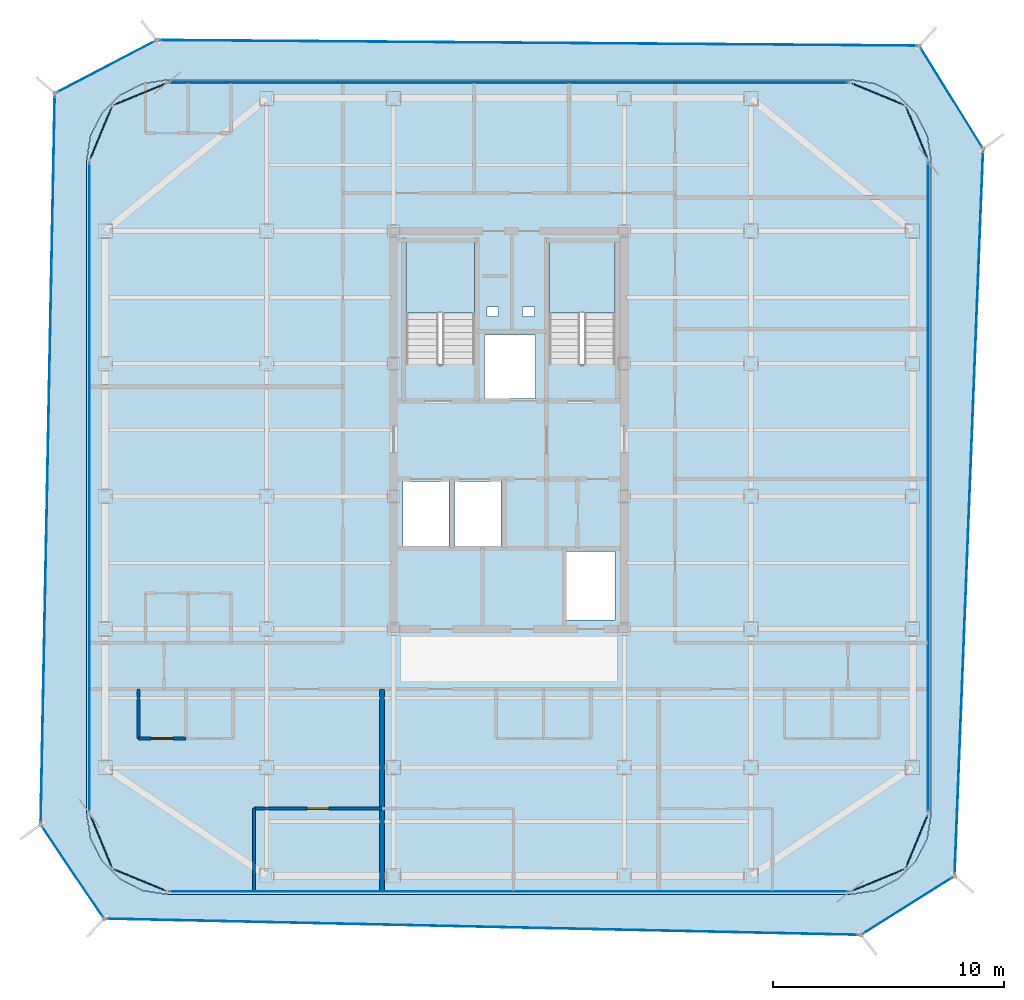
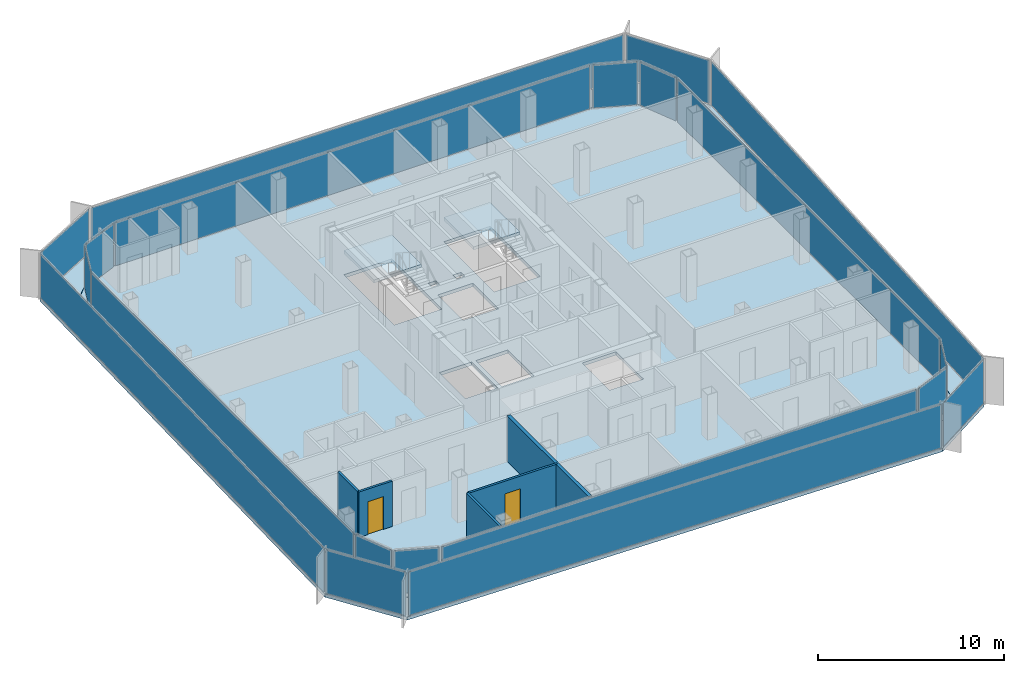
# One storey, part 9 of 15: 20 plates, 5 walls, 4 slabs, 2 doors, 2 openings, 22 elements without a shape of their own.
"""IFC4 building model written with IfcOpenShell, lengths in metres."""

from ifc_helpers import new_model, si_unit, direction, frame, frame_2d, origin, origin_2d, place, context, subcontext, project, spatial, polyline, rectangle, outline, extrude, source, transform, mapped, material, layer, layer_set, type_object, element, fill, aggregate, save


model = new_model("IFC4")

# Units and contexts
model_context = context("Model", 3, precision=1e-05, world=origin(), true_north=direction((0.0, 1.0)))
body_context = subcontext(model_context, "Body", "Model", "MODEL_VIEW")
ifc_project = project(units=[si_unit("LENGTHUNIT", "METRE"), si_unit("AREAUNIT", "SQUARE_METRE"), si_unit("VOLUMEUNIT", "CUBIC_METRE"), si_unit("PLANEANGLEUNIT", "RADIAN"), si_unit("MASSUNIT", "GRAM", prefix="KILO")], contexts=[model_context])

# Site, building, storey
site_placement = place(None, origin())
site = spatial("IfcSite", under=ifc_project, at=site_placement, CompositionType="ELEMENT")
building_placement = place(site_placement, origin())
building = spatial("IfcBuilding", under=site, at=building_placement, Name="Kolveth Station Tower", CompositionType="ELEMENT")
storey_placement = place(building_placement, frame((0.0, 0.0, 223.300048828125)))
storey = spatial("IfcBuildingStorey", under=building, at=storey_placement, Name="L63", CompositionType="ELEMENT", Elevation=223.300048828125)

# Slab
ifc_material_1 = material(Name="Concrete C40/50", Category="concrete")
ifc_layer_1 = layer(ifc_material_1, 0.219970703125)
ifc_layer_set_1 = layer_set([ifc_layer_1], Name="Concrete C40/50")
slab_type_1 = type_object("IfcSlabType", Name="Slab_SF-220", PredefinedType="FLOOR", material=ifc_layer_set_1)
slab_1_placement = place(storey_placement, frame((0.0, 0.0, -0.219970703125)))
element("IfcSlab", 1, at=slab_1_placement, inside=storey, type_object=slab_type_1, Name="L63 Tower Structural Floor Slab", PredefinedType="FLOOR", context=body_context, shape_type="SweptSolid", body=[
    extrude(outline(polyline([(38.300048828125, 0.0), (39.381591796875, 0.17138671875), (40.357177734375, 0.66845703125), (41.131591796875, 1.44287109375), (41.628662109375, 2.41845703125), (41.800048828125, 3.5), (41.800048828125, 31.800048828125), (41.628662109375, 32.881591796875), (41.131591796875, 33.857177734375), (40.357177734375, 34.631591796875), (39.381591796875, 35.128662109375), (38.300048828125, 35.300048828125), (8.699951171875, 35.300048828125), (7.618408203125, 35.128662109375), (6.642822265625, 34.631591796875), (5.868408203125, 33.857177734375), (5.371337890625, 32.881591796875), (5.199951171875, 31.800048828125), (5.199951171875, 3.5), (5.371337890625, 2.41845703125), (5.868408203125, 1.44287109375), (6.642822265625, 0.66845703125), (7.618408203125, 0.17138671875), (8.699951171875, 0.0), (38.300048828125, 0.0)]), holes=[polyline([(19.0400390625, 22.985107421875), (22.0, 22.985107421875), (22.0, 28.39990234375), (19.0400390625, 28.39990234375), (19.0400390625, 22.985107421875)]), polyline([(25.239990234375, 22.985107421875), (28.10009765625, 22.985107421875), (28.10009765625, 28.39990234375), (25.239990234375, 28.39990234375), (25.239990234375, 22.985107421875)]), polyline([(18.89990234375, 15.10009765625), (20.89990234375, 15.10009765625), (20.89990234375, 17.89990234375), (18.89990234375, 17.89990234375), (18.89990234375, 15.10009765625)]), polyline([(21.14990234375, 15.10009765625), (23.14990234375, 15.10009765625), (23.14990234375, 17.89990234375), (21.14990234375, 17.89990234375), (21.14990234375, 15.10009765625)]), polyline([(22.449951171875, 21.5), (24.64990234375, 21.5), (24.64990234375, 24.25), (22.449951171875, 24.25), (22.449951171875, 21.5)]), polyline([(26.0, 11.89990234375), (28.10009765625, 11.89990234375), (28.10009765625, 14.85009765625), (26.0, 14.85009765625), (26.0, 11.89990234375)]), polyline([(22.550048828125, 25.050048828125), (23.050048828125, 25.050048828125), (23.050048828125, 25.449951171875), (22.550048828125, 25.449951171875), (22.550048828125, 25.050048828125)]), polyline([(24.10009765625, 25.050048828125), (24.60009765625, 25.050048828125), (24.60009765625, 25.449951171875), (24.10009765625, 25.449951171875), (24.10009765625, 25.050048828125)])]), origin(), (0.0, 0.0, 1.0), 0.219970703125),
])

# Stair, slab
stair_type_1 = type_object("IfcStairType", Name="Stair_ST2", PredefinedType="HALF_TURN_STAIR", material=ifc_material_1)
stair_1_placement = place(storey_placement, origin())
stair_1 = element("IfcStair", 2, at=stair_1_placement, inside=storey, type_object=stair_type_1, Name="L63 Tower Exit Stair ST2", PredefinedType="HALF_TURN_STAIR")
ifc_layer_2 = layer(ifc_material_1, 0.18994140625)
ifc_layer_set_2 = layer_set([ifc_layer_2], Name="Concrete C40/50")
slab_type_2 = type_object("IfcSlabType", Name="Slab_SL-190", PredefinedType="LANDING", material=ifc_layer_set_2)
slab_2_placement = place(storey_placement, frame((0.0, 0.0, 1.39990234375)))
slab_2 = element("IfcSlab", 3, at=slab_2_placement, type_object=slab_type_2, Name="ST2 landing 1", PredefinedType="LANDING", context=body_context, shape_type="SweptSolid", body=[
    extrude(outline(polyline([(28.10009765625, 25.18994140625), (28.10009765625, 28.39990234375), (25.239990234375, 28.39990234375), (25.239990234375, 25.18994140625), (28.10009765625, 25.18994140625)])), origin(), (0.0, 0.0, 1.0), 0.199951171875),
])
aggregate(stair_1, [slab_2])

stair_type_2 = type_object("IfcStairType", Name="Stair_ST1", PredefinedType="HALF_TURN_STAIR", material=ifc_material_1)
stair_2_placement = place(storey_placement, origin())
stair_2 = element("IfcStair", 4, at=stair_2_placement, inside=storey, type_object=stair_type_2, Name="L63 Tower Exit Stair ST1", PredefinedType="HALF_TURN_STAIR")
ifc_layer_3 = layer(ifc_material_1, 0.205078125)
ifc_layer_set_3 = layer_set([ifc_layer_3], Name="Concrete C40/50")
slab_type_3 = type_object("IfcSlabType", Name="Slab_SL-205", PredefinedType="LANDING", material=ifc_layer_set_3)
slab_3_placement = place(storey_placement, frame((0.0, 0.0, 1.39990234375)))
slab_3 = element("IfcSlab", 5, at=slab_3_placement, type_object=slab_type_3, Name="ST1 landing 1", PredefinedType="LANDING", context=body_context, shape_type="SweptSolid", body=[
    extrude(outline(polyline([(22.0, 25.18994140625), (22.0, 28.39990234375), (19.0400390625, 28.39990234375), (19.0400390625, 25.18994140625), (22.0, 25.18994140625)])), origin(), (0.0, 0.0, 1.0), 0.199951171875),
])
aggregate(stair_2, [slab_3])

# Slab
ifc_layer_4 = layer(ifc_material_1, 0.2099609375)
ifc_layer_set_4 = layer_set([ifc_layer_4], Name="Concrete C40/50")
slab_type_4 = type_object("IfcSlabType", Name="Slab_ST-210", PredefinedType="FLOOR", material=ifc_layer_set_4)
slab_4_placement = place(storey_placement, frame((0.0, 0.0, -0.2099609375)))
element("IfcSlab", 6, at=slab_4_placement, inside=storey, type_object=slab_type_4, Name="L63 Double-Skin Cavity Structural Ledger Ring", PredefinedType="FLOOR", context=body_context, shape_type="SweptSolid", body=[
    extrude(outline(polyline([(5.9501953125, -1.057861328125), (3.20458984375, 3.022216796875), (3.818115234375, 34.717041015625), (8.240966796875, 37.026123046875), (41.292724609375, 36.7822265625), (44.060302734375, 32.310546875), (42.822021484375, 0.7890625), (38.763916015625, -1.763916015625), (5.9501953125, -1.057861328125)]), holes=[polyline([(38.30224609375, -0.014892578125), (39.3837890625, 0.156494140625), (39.388427734375, 0.157958984375), (40.364013671875, 0.655029296875), (40.367919921875, 0.65771484375), (41.14208984375, 1.43212890625), (41.14501953125, 1.43603515625), (41.64208984375, 2.41162109375), (41.6435546875, 2.416015625), (41.814697265625, 3.497802734375), (41.81494140625, 3.5), (41.81494140625, 31.800048828125), (41.814697265625, 31.80224609375), (41.6435546875, 32.8837890625), (41.64208984375, 32.888427734375), (41.14501953125, 33.864013671875), (41.14208984375, 33.867919921875), (40.367919921875, 34.64208984375), (40.364013671875, 34.64501953125), (39.388427734375, 35.14208984375), (39.3837890625, 35.1435546875), (38.30224609375, 35.314697265625), (38.300048828125, 35.31494140625), (8.699951171875, 35.31494140625), (8.69775390625, 35.314697265625), (7.6162109375, 35.1435546875), (7.611572265625, 35.14208984375), (6.635986328125, 34.64501953125), (6.632080078125, 34.64208984375), (5.85791015625, 33.867919921875), (5.85498046875, 33.864013671875), (5.35791015625, 32.888427734375), (5.3564453125, 32.8837890625), (5.185302734375, 31.80224609375), (5.18505859375, 31.800048828125), (5.18505859375, 3.5), (5.185302734375, 3.497802734375), (5.3564453125, 2.416015625), (5.35791015625, 2.41162109375), (5.85498046875, 1.43603515625), (5.85791015625, 1.43212890625), (6.632080078125, 0.65771484375), (6.635986328125, 0.655029296875), (7.611572265625, 0.157958984375), (7.6162109375, 0.156494140625), (8.69775390625, -0.014892578125), (8.699951171875, -0.014892578125), (38.300048828125, -0.014892578125), (38.30224609375, -0.014892578125)])]), origin(), (0.0, 0.0, 1.0), 0.2099609375),
])

# Curtain wall, plate
ifc_material_2 = material(Name="Aluminium 6063-T6 and triple low-E dark glass", Category="aluminium")
ifc_layer_5 = layer(ifc_material_2, 0.199951171875)
ifc_layer_set_5 = layer_set([ifc_layer_5], Name="Aluminium 6063-T6 and triple low-E dark glass")
curtain_wall_type_1 = type_object("IfcCurtainWallType", Name="CurtainWall_CW-Z3", PredefinedType="NOTDEFINED", material=ifc_layer_set_5)
curtain_wall_1_placement = place(storey_placement, origin())
curtain_wall_1 = element("IfcCurtainWall", 7, at=curtain_wall_1_placement, inside=storey, type_object=curtain_wall_type_1, Name="L63 Inner Thermal Curtain Wall 1", PredefinedType="NOTDEFINED")
ifc_material_3 = material(Name="Architectural low-E dark glass", Category="glass")
ifc_layer_6 = layer(ifc_material_3, 0.0419921875)
ifc_layer_set_6 = layer_set([ifc_layer_6], Name="Architectural low-E dark glass")
plate_type_1 = type_object("IfcPlateType", Name="Panel_GL3", PredefinedType="CURTAIN_PANEL", material=ifc_layer_set_6)
shared_shape_1 = source(origin(), body_context, "Body", "SweptSolid", [
    extrude(rectangle(XDim=2.430908203125, YDim=0.0419921875, at=origin_2d()), origin(), (0.0, 0.0, 1.0), 2.823974609375),
])
plate_1_placement = place(storey_placement, frame((39.4951171875, 0.614990234375, 0.078125), z_axis=(0.0, 0.0, 1.0), x_axis=(0.923875488975, 0.382693194181, 0.0)))
plate_1 = element("IfcPlate", 8, at=plate_1_placement, type_object=plate_type_1, Name="CW-Z3 panel 1.1", PredefinedType="CURTAIN_PANEL", context=body_context, shape_type="MappedRepresentation", body=[
    mapped(shared_shape_1, transform((0.0, 0.0, 0.0), x_axis=(1.0, 0.0, 0.0), y_axis=(0.0, 1.0, 0.0), z_axis=(0.0, 0.0, 1.0), scale=1.0)),
])
aggregate(curtain_wall_1, [plate_1])

curtain_wall_2_placement = place(storey_placement, origin())
curtain_wall_2 = element("IfcCurtainWall", 9, at=curtain_wall_2_placement, inside=storey, type_object=curtain_wall_type_1, Name="L63 Inner Thermal Curtain Wall 2", PredefinedType="NOTDEFINED")
plate_2_placement = place(storey_placement, frame((41.18505859375, 2.304931640625, 0.078125), z_axis=(0.0, 0.0, 1.0), x_axis=(0.382693194181, 0.923875488975, 0.0)))
plate_2 = element("IfcPlate", 10, at=plate_2_placement, type_object=plate_type_1, Name="CW-Z3 panel 1.1", PredefinedType="CURTAIN_PANEL", context=body_context, shape_type="MappedRepresentation", body=[
    mapped(shared_shape_1, transform((0.0, 0.0, 0.0), x_axis=(1.0, 0.0, 0.0), y_axis=(0.0, 1.0, 0.0), z_axis=(0.0, 0.0, 1.0), scale=1.0)),
])
aggregate(curtain_wall_2, [plate_2])

curtain_wall_3_placement = place(storey_placement, origin())
curtain_wall_3 = element("IfcCurtainWall", 11, at=curtain_wall_3_placement, inside=storey, type_object=curtain_wall_type_1, Name="L63 Inner Thermal Curtain Wall 4", PredefinedType="NOTDEFINED")
plate_3_placement = place(storey_placement, frame((41.18505859375, 32.9951171875, 0.078125), z_axis=(0.0, 0.0, 1.0), x_axis=(-0.382693194181, 0.923875488975, 0.0)))
plate_3 = element("IfcPlate", 12, at=plate_3_placement, type_object=plate_type_1, Name="CW-Z3 panel 1.1", PredefinedType="CURTAIN_PANEL", context=body_context, shape_type="MappedRepresentation", body=[
    mapped(shared_shape_1, transform((0.0, 0.0, 0.0), x_axis=(1.0, 0.0, 0.0), y_axis=(0.0, 1.0, 0.0), z_axis=(0.0, 0.0, 1.0), scale=1.0)),
])
aggregate(curtain_wall_3, [plate_3])

curtain_wall_4_placement = place(storey_placement, origin())
curtain_wall_4 = element("IfcCurtainWall", 13, at=curtain_wall_4_placement, inside=storey, type_object=curtain_wall_type_1, Name="L63 Inner Thermal Curtain Wall 5", PredefinedType="NOTDEFINED")
plate_4_placement = place(storey_placement, frame((39.4951171875, 34.68505859375, 0.078125), z_axis=(0.0, 0.0, 1.0), x_axis=(-0.923875488975, 0.382693194181, 0.0)))
plate_4 = element("IfcPlate", 14, at=plate_4_placement, type_object=plate_type_1, Name="CW-Z3 panel 1.1", PredefinedType="CURTAIN_PANEL", context=body_context, shape_type="MappedRepresentation", body=[
    mapped(shared_shape_1, transform((0.0, 0.0, 0.0), x_axis=(1.0, 0.0, 0.0), y_axis=(0.0, 1.0, 0.0), z_axis=(0.0, 0.0, 1.0), scale=1.0)),
])
aggregate(curtain_wall_4, [plate_4])

curtain_wall_5_placement = place(storey_placement, origin())
curtain_wall_5 = element("IfcCurtainWall", 15, at=curtain_wall_5_placement, inside=storey, type_object=curtain_wall_type_1, Name="L63 Inner Thermal Curtain Wall 7", PredefinedType="NOTDEFINED")
plate_5_placement = place(storey_placement, frame((7.5048828125, 34.68505859375, 0.078125), z_axis=(0.0, 0.0, 1.0), x_axis=(-0.923875488975, -0.382693194181, 0.0)))
plate_5 = element("IfcPlate", 16, at=plate_5_placement, type_object=plate_type_1, Name="CW-Z3 panel 1.1", PredefinedType="CURTAIN_PANEL", context=body_context, shape_type="MappedRepresentation", body=[
    mapped(shared_shape_1, transform((0.0, 0.0, 0.0), x_axis=(1.0, 0.0, 0.0), y_axis=(0.0, 1.0, 0.0), z_axis=(0.0, 0.0, 1.0), scale=1.0)),
])
aggregate(curtain_wall_5, [plate_5])

curtain_wall_6_placement = place(storey_placement, origin())
curtain_wall_6 = element("IfcCurtainWall", 17, at=curtain_wall_6_placement, inside=storey, type_object=curtain_wall_type_1, Name="L63 Inner Thermal Curtain Wall 8", PredefinedType="NOTDEFINED")
plate_6_placement = place(storey_placement, frame((5.81494140625, 32.9951171875, 0.078125), z_axis=(0.0, 0.0, 1.0), x_axis=(-0.382693194181, -0.923875488975, 0.0)))
plate_6 = element("IfcPlate", 18, at=plate_6_placement, type_object=plate_type_1, Name="CW-Z3 panel 1.1", PredefinedType="CURTAIN_PANEL", context=body_context, shape_type="MappedRepresentation", body=[
    mapped(shared_shape_1, transform((0.0, 0.0, 0.0), x_axis=(1.0, 0.0, 0.0), y_axis=(0.0, 1.0, 0.0), z_axis=(0.0, 0.0, 1.0), scale=1.0)),
])
aggregate(curtain_wall_6, [plate_6])

curtain_wall_7_placement = place(storey_placement, origin())
curtain_wall_7 = element("IfcCurtainWall", 19, at=curtain_wall_7_placement, inside=storey, type_object=curtain_wall_type_1, Name="L63 Inner Thermal Curtain Wall 10", PredefinedType="NOTDEFINED")
plate_7_placement = place(storey_placement, frame((5.81494140625, 2.304931640625, 0.078125), z_axis=(0.0, 0.0, 1.0), x_axis=(0.382693194181, -0.923875488975, 0.0)))
plate_7 = element("IfcPlate", 20, at=plate_7_placement, type_object=plate_type_1, Name="CW-Z3 panel 1.1", PredefinedType="CURTAIN_PANEL", context=body_context, shape_type="MappedRepresentation", body=[
    mapped(shared_shape_1, transform((0.0, 0.0, 0.0), x_axis=(1.0, 0.0, 0.0), y_axis=(0.0, 1.0, 0.0), z_axis=(0.0, 0.0, 1.0), scale=1.0)),
])
aggregate(curtain_wall_7, [plate_7])

curtain_wall_8_placement = place(storey_placement, origin())
curtain_wall_8 = element("IfcCurtainWall", 21, at=curtain_wall_8_placement, inside=storey, type_object=curtain_wall_type_1, Name="L63 Inner Thermal Curtain Wall 11", PredefinedType="NOTDEFINED")
plate_8_placement = place(storey_placement, frame((7.5048828125, 0.614990234375, 0.078125), z_axis=(0.0, 0.0, 1.0), x_axis=(0.923875488975, -0.382693194181, 0.0)))
plate_8 = element("IfcPlate", 22, at=plate_8_placement, type_object=plate_type_1, Name="CW-Z3 panel 1.1", PredefinedType="CURTAIN_PANEL", context=body_context, shape_type="MappedRepresentation", body=[
    mapped(shared_shape_1, transform((0.0, 0.0, 0.0), x_axis=(1.0, 0.0, 0.0), y_axis=(0.0, 1.0, 0.0), z_axis=(0.0, 0.0, 1.0), scale=1.0)),
])
aggregate(curtain_wall_8, [plate_8])

curtain_wall_9_placement = place(storey_placement, origin())
curtain_wall_9 = element("IfcCurtainWall", 23, at=curtain_wall_9_placement, inside=storey, type_object=curtain_wall_type_1, Name="L63 Inner Thermal Curtain Wall 3", PredefinedType="NOTDEFINED")
shared_shape_2 = source(origin(), body_context, "Body", "SweptSolid", [
    extrude(rectangle(XDim=28.14404296875, YDim=0.0419921875, at=origin_2d()), origin(), (0.0, 0.0, 1.0), 2.823974609375),
])
plate_9_placement = place(storey_placement, frame((41.679931640625, 17.64990234375, 0.078125), z_axis=(0.0, 0.0, 1.0), x_axis=(0.0, 1.0, 0.0)))
plate_9 = element("IfcPlate", 24, at=plate_9_placement, type_object=plate_type_1, Name="CW-Z3 panel 1.1", PredefinedType="CURTAIN_PANEL", context=body_context, shape_type="MappedRepresentation", body=[
    mapped(shared_shape_2, transform((0.0, 0.0, 0.0), x_axis=(1.0, 0.0, 0.0), y_axis=(0.0, 1.0, 0.0), z_axis=(0.0, 0.0, 1.0), scale=1.0)),
])
aggregate(curtain_wall_9, [plate_9])

curtain_wall_10_placement = place(storey_placement, origin())
curtain_wall_10 = element("IfcCurtainWall", 25, at=curtain_wall_10_placement, inside=storey, type_object=curtain_wall_type_1, Name="L63 Inner Thermal Curtain Wall 9", PredefinedType="NOTDEFINED")
plate_10_placement = place(storey_placement, frame((5.320068359375, 17.64990234375, 0.078125), z_axis=(0.0, 0.0, 1.0), x_axis=(0.0, -1.0, 0.0)))
plate_10 = element("IfcPlate", 26, at=plate_10_placement, type_object=plate_type_1, Name="CW-Z3 panel 1.1", PredefinedType="CURTAIN_PANEL", context=body_context, shape_type="MappedRepresentation", body=[
    mapped(shared_shape_2, transform((0.0, 0.0, 0.0), x_axis=(1.0, 0.0, 0.0), y_axis=(0.0, 1.0, 0.0), z_axis=(0.0, 0.0, 1.0), scale=1.0)),
])
aggregate(curtain_wall_10, [plate_10])

curtain_wall_11_placement = place(storey_placement, origin())
curtain_wall_11 = element("IfcCurtainWall", 27, at=curtain_wall_11_placement, inside=storey, type_object=curtain_wall_type_1, Name="L63 Inner Thermal Curtain Wall 6", PredefinedType="NOTDEFINED")
shared_shape_3 = source(origin(), body_context, "Body", "SweptSolid", [
    extrude(rectangle(XDim=29.444091796875, YDim=0.0419921875, at=origin_2d()), origin(), (0.0, 0.0, 1.0), 2.823974609375),
])
plate_11_placement = place(storey_placement, frame((23.5, 35.179931640625, 0.078125), z_axis=(0.0, 0.0, 1.0), x_axis=(-1.0, 0.0, 0.0)))
plate_11 = element("IfcPlate", 28, at=plate_11_placement, type_object=plate_type_1, Name="CW-Z3 panel 1.1", PredefinedType="CURTAIN_PANEL", context=body_context, shape_type="MappedRepresentation", body=[
    mapped(shared_shape_3, transform((0.0, 0.0, 0.0), x_axis=(1.0, 0.0, 0.0), y_axis=(0.0, 1.0, 0.0), z_axis=(0.0, 0.0, 1.0), scale=1.0)),
])
aggregate(curtain_wall_11, [plate_11])

curtain_wall_12_placement = place(storey_placement, origin())
curtain_wall_12 = element("IfcCurtainWall", 29, at=curtain_wall_12_placement, inside=storey, type_object=curtain_wall_type_1, Name="L63 Inner Thermal Curtain Wall 12", PredefinedType="NOTDEFINED")
plate_12_placement = place(storey_placement, frame((23.5, 0.1201171875, 0.078125), z_axis=(0.0, 0.0, 1.0), x_axis=(1.0, 0.0, 0.0)))
plate_12 = element("IfcPlate", 30, at=plate_12_placement, type_object=plate_type_1, Name="CW-Z3 panel 1.1", PredefinedType="CURTAIN_PANEL", context=body_context, shape_type="MappedRepresentation", body=[
    mapped(shared_shape_3, transform((0.0, 0.0, 0.0), x_axis=(1.0, 0.0, 0.0), y_axis=(0.0, 1.0, 0.0), z_axis=(0.0, 0.0, 1.0), scale=1.0)),
])
aggregate(curtain_wall_12, [plate_12])

ifc_material_4 = material(Name="Black anodized aluminium 6063-T6 and dark solar glass", Category="aluminium")
ifc_layer_7 = layer(ifc_material_4, 0.159912109375)
ifc_layer_set_7 = layer_set([ifc_layer_7], Name="Black anodized aluminium 6063-T6 and dark solar glass")
curtain_wall_type_2 = type_object("IfcCurtainWallType", Name="OUTER SKIN CW-OS", PredefinedType="NOTDEFINED", material=ifc_layer_set_7)
curtain_wall_13_placement = place(storey_placement, origin())
curtain_wall_13 = element("IfcCurtainWall", 31, at=curtain_wall_13_placement, inside=storey, type_object=curtain_wall_type_2, Name="L63 Outer Ventilated Skin Curtain Wall 1", PredefinedType="NOTDEFINED")
ifc_layer_8 = layer(ifc_material_3, 0.028076171875)
ifc_layer_set_8 = layer_set([ifc_layer_8], Name="Architectural low-E dark glass")
plate_type_2 = type_object("IfcPlateType", Name="Panel_GL-OS", PredefinedType="CURTAIN_PANEL", material=ifc_layer_set_8)
shared_shape_4 = source(origin(), body_context, "Body", "SweptSolid", [
    extrude(rectangle(XDim=4.62841796875, YDim=0.028076171875, at=origin_2d()), origin(), (0.0, 0.0, 1.0), 2.843994140625),
])
plate_13_placement = place(storey_placement, frame((40.79296875, -0.487548828125, 0.07275390625), z_axis=(0.0, 0.0, 1.0), x_axis=(0.846426788716, 0.532505109219, 0.0)))
plate_13 = element("IfcPlate", 32, at=plate_13_placement, type_object=plate_type_2, Name="CW-OS panel 1.1", PredefinedType="CURTAIN_PANEL", context=body_context, shape_type="MappedRepresentation", body=[
    mapped(shared_shape_4, transform((0.0, 0.0, 0.0), x_axis=(1.0, 0.0, 0.0), y_axis=(0.0, 1.0, 0.0), z_axis=(0.0, 0.0, 1.0), scale=1.0)),
])
aggregate(curtain_wall_13, [plate_13])

curtain_wall_14_placement = place(storey_placement, origin())
curtain_wall_14 = element("IfcCurtainWall", 33, at=curtain_wall_14_placement, inside=storey, type_object=curtain_wall_type_2, Name="L63 Outer Ventilated Skin Curtain Wall 2", PredefinedType="NOTDEFINED")
shared_shape_5 = source(origin(), body_context, "Body", "SweptSolid", [
    extrude(rectangle(XDim=31.3798828125, YDim=0.028076171875, at=origin_2d()), origin(), (0.0, 0.0, 1.0), 2.843994140625),
])
plate_14_placement = place(storey_placement, frame((43.441162109375, 16.5498046875, 0.07275390625), z_axis=(0.0, 0.0, 1.0), x_axis=(0.039257185308, 0.999229139588, 0.0)))
plate_14 = element("IfcPlate", 34, at=plate_14_placement, type_object=plate_type_2, Name="CW-OS panel 1.1", PredefinedType="CURTAIN_PANEL", context=body_context, shape_type="MappedRepresentation", body=[
    mapped(shared_shape_5, transform((0.0, 0.0, 0.0), x_axis=(1.0, 0.0, 0.0), y_axis=(0.0, 1.0, 0.0), z_axis=(0.0, 0.0, 1.0), scale=1.0)),
])
aggregate(curtain_wall_14, [plate_14])

curtain_wall_15_placement = place(storey_placement, origin())
curtain_wall_15 = element("IfcCurtainWall", 35, at=curtain_wall_15_placement, inside=storey, type_object=curtain_wall_type_2, Name="L63 Outer Ventilated Skin Curtain Wall 3", PredefinedType="NOTDEFINED")
shared_shape_6 = source(origin(), body_context, "Body", "SweptSolid", [
    extrude(rectangle(XDim=5.0927734375, YDim=0.028076171875, at=origin_2d()), origin(), (0.0, 0.0, 1.0), 2.843994140625),
])
plate_15_placement = place(storey_placement, frame((42.676513671875, 34.54638671875, 0.07275390625), z_axis=(0.0, 0.0, 1.0), x_axis=(-0.52629504147, 0.850302022415, 0.0)))
plate_15 = element("IfcPlate", 36, at=plate_15_placement, type_object=plate_type_2, Name="CW-OS panel 1.1", PredefinedType="CURTAIN_PANEL", context=body_context, shape_type="MappedRepresentation", body=[
    mapped(shared_shape_6, transform((0.0, 0.0, 0.0), x_axis=(1.0, 0.0, 0.0), y_axis=(0.0, 1.0, 0.0), z_axis=(0.0, 0.0, 1.0), scale=1.0)),
])
aggregate(curtain_wall_15, [plate_15])

curtain_wall_16_placement = place(storey_placement, origin())
curtain_wall_16 = element("IfcCurtainWall", 37, at=curtain_wall_16_placement, inside=storey, type_object=curtain_wall_type_2, Name="L63 Outer Ventilated Skin Curtain Wall 4", PredefinedType="NOTDEFINED")
shared_shape_7 = source(origin(), body_context, "Body", "SweptSolid", [
    extrude(rectangle(XDim=32.88671875, YDim=0.028076171875, at=origin_2d()), origin(), (0.0, 0.0, 1.0), 2.843994140625),
])
plate_16_placement = place(storey_placement, frame((24.766845703125, 36.904296875, 0.07275390625), z_axis=(0.0, 0.0, 1.0), x_axis=(-0.999972751558, 0.007382150183, 0.0)))
plate_16 = element("IfcPlate", 38, at=plate_16_placement, type_object=plate_type_2, Name="CW-OS panel 1.1", PredefinedType="CURTAIN_PANEL", context=body_context, shape_type="MappedRepresentation", body=[
    mapped(shared_shape_7, transform((0.0, 0.0, 0.0), x_axis=(1.0, 0.0, 0.0), y_axis=(0.0, 1.0, 0.0), z_axis=(0.0, 0.0, 1.0), scale=1.0)),
])
aggregate(curtain_wall_16, [plate_16])

curtain_wall_17_placement = place(storey_placement, origin())
curtain_wall_17 = element("IfcCurtainWall", 39, at=curtain_wall_17_placement, inside=storey, type_object=curtain_wall_type_2, Name="L63 Outer Ventilated Skin Curtain Wall 5", PredefinedType="NOTDEFINED")
shared_shape_8 = source(origin(), body_context, "Body", "SweptSolid", [
    extrude(rectangle(XDim=4.8232421875, YDim=0.028076171875, at=origin_2d()), origin(), (0.0, 0.0, 1.0), 2.843994140625),
])
plate_17_placement = place(storey_placement, frame((6.029541015625, 35.87158203125, 0.07275390625), z_axis=(0.0, 0.0, 1.0), x_axis=(-0.886444712512, -0.462834497051, 0.0)))
plate_17 = element("IfcPlate", 40, at=plate_17_placement, type_object=plate_type_2, Name="CW-OS panel 1.1", PredefinedType="CURTAIN_PANEL", context=body_context, shape_type="MappedRepresentation", body=[
    mapped(shared_shape_8, transform((0.0, 0.0, 0.0), x_axis=(1.0, 0.0, 0.0), y_axis=(0.0, 1.0, 0.0), z_axis=(0.0, 0.0, 1.0), scale=1.0)),
])
aggregate(curtain_wall_17, [plate_17])

curtain_wall_18_placement = place(storey_placement, origin())
curtain_wall_18 = element("IfcCurtainWall", 41, at=curtain_wall_18_placement, inside=storey, type_object=curtain_wall_type_2, Name="L63 Outer Ventilated Skin Curtain Wall 6", PredefinedType="NOTDEFINED")
shared_shape_9 = source(origin(), body_context, "Body", "SweptSolid", [
    extrude(rectangle(XDim=31.53466796875, YDim=0.028076171875, at=origin_2d()), origin(), (0.0, 0.0, 1.0), 2.843994140625),
])
plate_18_placement = place(storey_placement, frame((3.511474609375, 18.86962890625, 0.07275390625), z_axis=(0.0, 0.0, 1.0), x_axis=(-0.019356076698, -0.999812653598, 0.0)))
plate_18 = element("IfcPlate", 42, at=plate_18_placement, type_object=plate_type_2, Name="CW-OS panel 1.1", PredefinedType="CURTAIN_PANEL", context=body_context, shape_type="MappedRepresentation", body=[
    mapped(shared_shape_9, transform((0.0, 0.0, 0.0), x_axis=(1.0, 0.0, 0.0), y_axis=(0.0, 1.0, 0.0), z_axis=(0.0, 0.0, 1.0), scale=1.0)),
])
aggregate(curtain_wall_18, [plate_18])

curtain_wall_19_placement = place(storey_placement, origin())
curtain_wall_19 = element("IfcCurtainWall", 43, at=curtain_wall_19_placement, inside=storey, type_object=curtain_wall_type_2, Name="L63 Outer Ventilated Skin Curtain Wall 7", PredefinedType="NOTDEFINED")
shared_shape_10 = source(origin(), body_context, "Body", "SweptSolid", [
    extrude(rectangle(XDim=4.751953125, YDim=0.028076171875, at=origin_2d()), origin(), (0.0, 0.0, 1.0), 2.843994140625),
])
plate_19_placement = place(storey_placement, frame((4.577392578125, 0.982177734375, 0.07275390625), z_axis=(0.0, 0.0, 1.0), x_axis=(0.5582660257, -0.82966200621, 0.0)))
plate_19 = element("IfcPlate", 44, at=plate_19_placement, type_object=plate_type_2, Name="CW-OS panel 1.1", PredefinedType="CURTAIN_PANEL", context=body_context, shape_type="MappedRepresentation", body=[
    mapped(shared_shape_10, transform((0.0, 0.0, 0.0), x_axis=(1.0, 0.0, 0.0), y_axis=(0.0, 1.0, 0.0), z_axis=(0.0, 0.0, 1.0), scale=1.0)),
])
aggregate(curtain_wall_19, [plate_19])

curtain_wall_20_placement = place(storey_placement, origin())
curtain_wall_20 = element("IfcCurtainWall", 45, at=curtain_wall_20_placement, inside=storey, type_object=curtain_wall_type_2, Name="L63 Outer Ventilated Skin Curtain Wall 8", PredefinedType="NOTDEFINED")
shared_shape_11 = source(origin(), body_context, "Body", "SweptSolid", [
    extrude(rectangle(XDim=32.6552734375, YDim=0.028076171875, at=origin_2d()), origin(), (0.0, 0.0, 1.0), 2.843994140625),
])
plate_20_placement = place(storey_placement, frame((22.35693359375, -1.410888671875, 0.07275390625), z_axis=(0.0, 0.0, 1.0), x_axis=(0.999768558503, -0.021513470864, 0.0)))
plate_20 = element("IfcPlate", 46, at=plate_20_placement, type_object=plate_type_2, Name="CW-OS panel 1.1", PredefinedType="CURTAIN_PANEL", context=body_context, shape_type="MappedRepresentation", body=[
    mapped(shared_shape_11, transform((0.0, 0.0, 0.0), x_axis=(1.0, 0.0, 0.0), y_axis=(0.0, 1.0, 0.0), z_axis=(0.0, 0.0, 1.0), scale=1.0)),
])
aggregate(curtain_wall_20, [plate_20])

# Wall, opening, door
ifc_material_5 = material(Name="Moisture-resistant gypsum partition")
ifc_layer_9 = layer(ifc_material_5, 0.135009765625)
ifc_layer_set_9 = layer_set([ifc_layer_9], Name="Moisture-resistant gypsum partition")
wall_type_1 = type_object("IfcWallType", Name="Wall_IW-135", PredefinedType="PARTITIONING", material=ifc_layer_set_9)
wall_1_placement = place(storey_placement, frame((7.449951171875, 6.75, 0.0), z_axis=(0.0, 0.0, 1.0), x_axis=(1.0, 0.0, 0.0)))
wall_1 = element("IfcWall", 47, at=wall_1_placement, inside=storey, type_object=wall_type_1, Name="L63 Partition Wall WL-L63-A1-IBHK", PredefinedType="PARTITIONING", context=body_context, shape_type="SweptSolid", body=[
    extrude(rectangle(XDim=2.050048828125, YDim=0.135009765625, at=frame_2d((1.02490234375, 0.0))), origin(), (0.0, 0.0, 1.0), 2.97998046875),
])
opening_1_placement = place(wall_1_placement, frame((0.544921875, 0.0, 0.0)))
opening_1 = element("IfcOpeningElement", 48, at=opening_1_placement, cuts=wall_1, Name="Opening ID1", PredefinedType="OPENING", context=body_context, shape_type="SweptSolid", body=[
    extrude(rectangle(XDim=0.949951171875, YDim=2.14990234375, at=frame_2d((0.47509765625, 1.074951171875))), frame((0.0, 0.077392578125, 0.0), z_axis=(0.0, -1.0, 0.0), x_axis=(1.0, 0.0, 0.0)), (0.0, 0.0, 1.0), 0.155029296875),
])
ifc_material_6 = material(Name="Acoustic hardwood leaf and aluminium frame", Category="wood")
door_type = type_object("IfcDoorType", Name="Door_ID1", OperationType="NOTDEFINED", PredefinedType="DOOR", material=ifc_material_6)
door_1_placement = place(opening_1_placement, origin())
door_1 = element("IfcDoor", 49, at=door_1_placement, inside=storey, type_object=door_type, Name="Penthouse Flat L63-A1 Kitchen Door", OperationType="SINGLE_SWING_LEFT", OverallHeight=2.14990234375, OverallWidth=0.949951171875, PredefinedType="DOOR", context=body_context, shape_type="SweptSolid", body=[
    extrude(rectangle(XDim=0.949951171875, YDim=2.14990234375, at=frame_2d((0.47509765625, 1.074951171875))), frame((0.0, 0.02490234375, 0.0), z_axis=(0.0, -1.0, 0.0), x_axis=(1.0, 0.0, 0.0)), (0.0, 0.0, 1.0), 0.050048828125),
])
fill(opening_1, door_1)

# Walls
wall_2_placement = place(storey_placement, frame((7.449951171875, 6.75, 0.0), z_axis=(0.0, 0.0, 1.0), x_axis=(0.0, 1.0, 0.0)))
element("IfcWall", 50, at=wall_2_placement, inside=storey, type_object=wall_type_1, Name="L63 Partition Wall WL-L63-A1-IBV0", PredefinedType="PARTITIONING", context=body_context, shape_type="SweptSolid", body=[
    extrude(rectangle(XDim=2.14990234375, YDim=0.135009765625, at=frame_2d((1.074951171875, 0.0))), origin(), (0.0, 0.0, 1.0), 2.97998046875),
])
wall_3_placement = place(storey_placement, frame((12.450927734375, 0.159912109375, 0.0), z_axis=(0.0, 0.0, 1.0), x_axis=(0.0, 1.0, 0.0)))
element("IfcWall", 51, at=wall_3_placement, inside=storey, type_object=wall_type_1, Name="L63 Partition Wall WL-L63-A1-BDV0", PredefinedType="PARTITIONING", context=body_context, shape_type="SweptSolid", body=[
    extrude(rectangle(XDim=3.550048828125, YDim=0.135009765625, at=frame_2d((1.77490234375, 0.0))), origin(), (0.0, 0.0, 1.0), 2.97998046875),
])

# Wall, opening, door
wall_4_placement = place(storey_placement, frame((12.450927734375, 3.7099609375, 0.0), z_axis=(0.0, 0.0, 1.0), x_axis=(1.0, 0.0, 0.0)))
wall_4 = element("IfcWall", 52, at=wall_4_placement, inside=storey, type_object=wall_type_1, Name="L63 Partition Wall WL-L63-A1-BDH1", PredefinedType="PARTITIONING", context=body_context, shape_type="SweptSolid", body=[
    extrude(rectangle(XDim=5.549072265625, YDim=0.135009765625, at=frame_2d((2.7744140625, 0.0))), origin(), (0.0, 0.0, 1.0), 2.97998046875),
])
opening_2_placement = place(wall_4_placement, frame((2.2939453125, 0.0, 0.0)))
opening_2 = element("IfcOpeningElement", 53, at=opening_2_placement, cuts=wall_4, Name="Opening ID1", PredefinedType="OPENING", context=body_context, shape_type="SweptSolid", body=[
    extrude(rectangle(XDim=0.949951171875, YDim=2.14990234375, at=frame_2d((0.47509765625, 1.074951171875))), frame((0.0, 0.077392578125, 0.0), z_axis=(0.0, -1.0, 0.0), x_axis=(1.0, 0.0, 0.0)), (0.0, 0.0, 1.0), 0.155029296875),
])
door_2_placement = place(opening_2_placement, frame((0.949951171875, 0.0, 0.0), z_axis=(0.0, 0.0, 1.0), x_axis=(-1.0, 0.0, 0.0)))
door_2 = element("IfcDoor", 54, at=door_2_placement, inside=storey, type_object=door_type, Name="Penthouse Flat L63-A1 Bedroom 1 Door", OperationType="SINGLE_SWING_LEFT", OverallHeight=2.14990234375, OverallWidth=0.949951171875, PredefinedType="DOOR", context=body_context, shape_type="SweptSolid", body=[
    extrude(rectangle(XDim=0.949951171875, YDim=2.14990234375, at=frame_2d((0.47509765625, 1.074951171875))), frame((0.0, 0.02490234375, 0.0), z_axis=(0.0, -1.0, 0.0), x_axis=(1.0, 0.0, 0.0)), (0.0, 0.0, 1.0), 0.050048828125),
])
fill(opening_2, door_2)

# Wall
ifc_material_7 = material(Name="Acoustic fire-rated gypsum blockwork", Category="masonry")
ifc_layer_10 = layer(ifc_material_7, 0.199951171875)
ifc_layer_set_10 = layer_set([ifc_layer_10], Name="Acoustic fire-rated gypsum blockwork")
wall_type_2 = type_object("IfcWallType", Name="Wall_IW-200", PredefinedType="PARTITIONING", material=ifc_layer_set_10)
wall_5_placement = place(storey_placement, frame((18.0, 0.159912109375, 0.0), z_axis=(0.0, 0.0, 1.0), x_axis=(0.0, 1.0, 0.0)))
element("IfcWall", 55, at=wall_5_placement, inside=storey, type_object=wall_type_2, Name="L63 Partition Wall WL-L63-RSU-1", PredefinedType="PARTITIONING", context=body_context, shape_type="SweptSolid", body=[
    extrude(rectangle(XDim=8.739990234375, YDim=0.199951171875, at=frame_2d((4.3701171875, 0.0))), origin(), (0.0, 0.0, 1.0), 2.97998046875),
])

save(model, "model.ifc")
